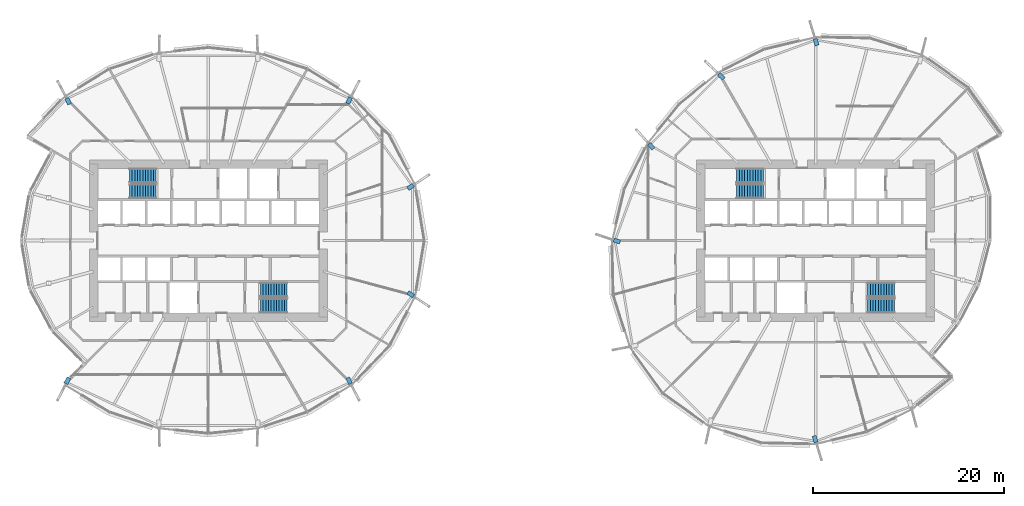
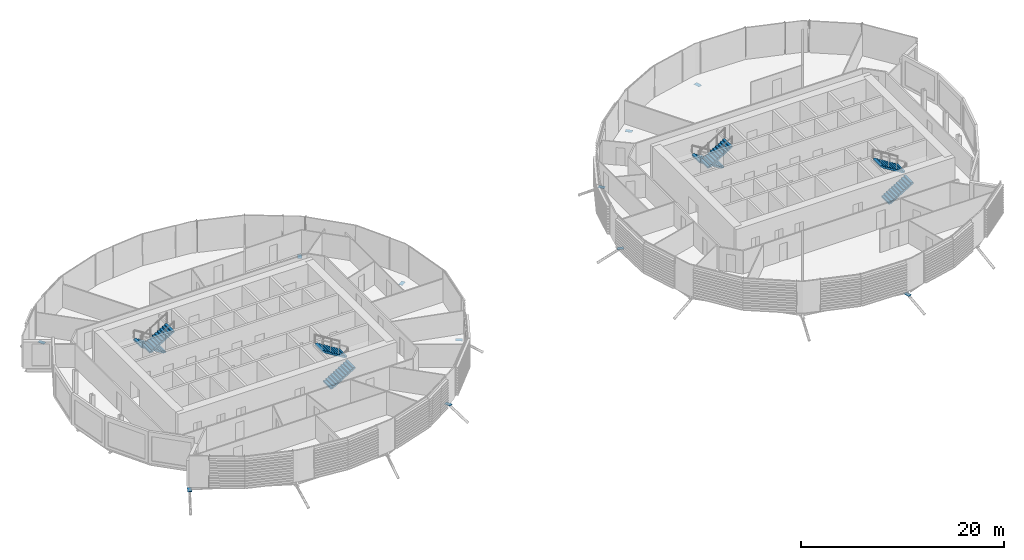
# One storey, part 26 of 37: 11 discrete accessories, 8 stair flights, 4 elements without a shape of their own.
"""IFC4 building model written with IfcOpenShell, lengths in metres."""

from ifc_helpers import new_model, si_unit, direction, frame, origin, origin_2d, place, context, subcontext, project, spatial, polyline, rectangle, outline, extrude, material, material_profile, profile_set, type_object, element, aggregate, save


model = new_model("IFC4")

# Units and contexts
model_context = context("Model", 3, precision=1e-05, world=origin(), true_north=direction((0.0, 1.0)))
body_context = subcontext(model_context, "Body", "Model", "MODEL_VIEW")
ifc_project = project(units=[si_unit("LENGTHUNIT", "METRE"), si_unit("AREAUNIT", "SQUARE_METRE"), si_unit("VOLUMEUNIT", "CUBIC_METRE"), si_unit("PLANEANGLEUNIT", "RADIAN"), si_unit("MASSUNIT", "GRAM", prefix="KILO")], contexts=[model_context])

# Site, building, storey
site_placement = place(None, origin())
site = spatial("IfcSite", under=ifc_project, at=site_placement, CompositionType="ELEMENT")
building_placement = place(site_placement, origin())
building = spatial("IfcBuilding", under=site, at=building_placement, Name="Rimbun Link Towers", CompositionType="ELEMENT")
storey_placement = place(building_placement, frame((0.0, 0.0, 45.199951171875)))
storey = spatial("IfcBuildingStorey", under=building, at=storey_placement, Name="L10", CompositionType="ELEMENT", Elevation=45.199951171875)

# Stair, stair flights
ifc_material_1 = material(Name="Concrete C40/50", Category="concrete")
stair_type = type_object("IfcStairType", Name="Exit stair 3800 rise", PredefinedType="HALF_TURN_STAIR", material=ifc_material_1)
stair_1_placement = place(storey_placement, origin())
stair_1 = element("IfcStair", 1, at=stair_1_placement, inside=storey, type_object=stair_type, Name="L10 EXIT STAIR A", PredefinedType="HALF_TURN_STAIR")
ifc_material_2 = material(Name="Concrete C40/50", Category="concrete")
stair_flight_type = type_object("IfcStairFlightType", Name="Exit stair flight 3800 rise", PredefinedType="STRAIGHT", material=ifc_material_2)
stair_flight_1_placement = place(storey_placement, frame((-37.199951171875, 6.800048828125, 0.0), z_axis=(0.0, 0.0, 1.0), x_axis=(-1.0, 0.0, 0.0)))
stair_flight_1 = element("IfcStairFlight", 2, at=stair_flight_1_placement, type_object=stair_flight_type, Name="ST1 flight 1", NumberOfRisers=11, NumberOfTreads=10, PredefinedType="STRAIGHT", RiserHeight=0.172727273, TreadLength=0.28, context=body_context, shape_type="SweptSolid", body=[
    extrude(outline(polyline([(0.0, 0.0), (0.0, 0.172607421875), (0.280029296875, 0.172607421875), (0.280029296875, 0.345458984375), (0.56005859375, 0.345458984375), (0.56005859375, 0.51806640625), (0.840087890625, 0.51806640625), (0.840087890625, 0.69091796875), (1.1201171875, 0.69091796875), (1.1201171875, 0.863525390625), (1.39990234375, 0.863525390625), (1.39990234375, 1.036376953125), (1.679931640625, 1.036376953125), (1.679931640625, 1.208984375), (1.9599609375, 1.208984375), (1.9599609375, 1.3818359375), (2.239990234375, 1.3818359375), (2.239990234375, 1.554443359375), (2.52001953125, 1.554443359375), (2.52001953125, 1.727294921875), (2.800048828125, 1.727294921875), (2.800048828125, 1.89990234375), (2.800048828125, 1.551025390625), (0.280029296875, 0.0), (0.0, 0.0)])), frame((0.0, 0.75, 0.0), z_axis=(0.0, -1.0, 0.0), x_axis=(1.0, 0.0, 0.0)), (0.0, 0.0, 1.0), 1.5),
])
stair_flight_2_placement = place(storey_placement, frame((-40.0, 5.14990234375, 1.900146484375), z_axis=(0.0, 0.0, 1.0), x_axis=(1.0, 0.0, 0.0)))
stair_flight_2 = element("IfcStairFlight", 3, at=stair_flight_2_placement, type_object=stair_flight_type, Name="ST1 flight 2", NumberOfRisers=11, NumberOfTreads=10, PredefinedType="STRAIGHT", RiserHeight=0.172727273, TreadLength=0.28, context=body_context, shape_type="SweptSolid", body=[
    extrude(outline(polyline([(0.0, 0.0), (0.0, 0.172607421875), (0.280029296875, 0.172607421875), (0.280029296875, 0.345458984375), (0.56005859375, 0.345458984375), (0.56005859375, 0.51806640625), (0.840087890625, 0.51806640625), (0.840087890625, 0.69091796875), (1.1201171875, 0.69091796875), (1.1201171875, 0.863525390625), (1.39990234375, 0.863525390625), (1.39990234375, 1.036376953125), (1.679931640625, 1.036376953125), (1.679931640625, 1.208984375), (1.9599609375, 1.208984375), (1.9599609375, 1.3818359375), (2.239990234375, 1.3818359375), (2.239990234375, 1.554443359375), (2.52001953125, 1.554443359375), (2.52001953125, 1.727294921875), (2.800048828125, 1.727294921875), (2.800048828125, 1.89990234375), (2.800048828125, 1.551025390625), (0.280029296875, 0.0), (0.0, 0.0)])), frame((0.0, 0.75, 0.0), z_axis=(0.0, -1.0, 0.0), x_axis=(1.0, 0.0, 0.0)), (0.0, 0.0, 1.0), 1.5),
])
aggregate(stair_1, [stair_flight_1, stair_flight_2])

stair_2_placement = place(storey_placement, origin())
stair_2 = element("IfcStair", 4, at=stair_2_placement, inside=storey, type_object=stair_type, Name="L10 EXIT STAIR B", PredefinedType="HALF_TURN_STAIR")
stair_flight_3_placement = place(storey_placement, frame((-26.300048828125, -6.800048828125, 0.0), z_axis=(0.0, 0.0, 1.0), x_axis=(1.0, 0.0, 0.0)))
stair_flight_3 = element("IfcStairFlight", 5, at=stair_flight_3_placement, type_object=stair_flight_type, Name="ST2 flight 1", NumberOfRisers=11, NumberOfTreads=10, PredefinedType="STRAIGHT", RiserHeight=0.172727273, TreadLength=0.28, context=body_context, shape_type="SweptSolid", body=[
    extrude(outline(polyline([(0.0, 0.0), (0.0, 0.172607421875), (0.280029296875, 0.172607421875), (0.280029296875, 0.345458984375), (0.56005859375, 0.345458984375), (0.56005859375, 0.51806640625), (0.840087890625, 0.51806640625), (0.840087890625, 0.69091796875), (1.1201171875, 0.69091796875), (1.1201171875, 0.863525390625), (1.39990234375, 0.863525390625), (1.39990234375, 1.036376953125), (1.679931640625, 1.036376953125), (1.679931640625, 1.208984375), (1.9599609375, 1.208984375), (1.9599609375, 1.3818359375), (2.239990234375, 1.3818359375), (2.239990234375, 1.554443359375), (2.52001953125, 1.554443359375), (2.52001953125, 1.727294921875), (2.800048828125, 1.727294921875), (2.800048828125, 1.89990234375), (2.800048828125, 1.551025390625), (0.280029296875, 0.0), (0.0, 0.0)])), frame((0.0, 0.75, 0.0), z_axis=(0.0, -1.0, 0.0), x_axis=(1.0, 0.0, 0.0)), (0.0, 0.0, 1.0), 1.5),
])
stair_flight_4_placement = place(storey_placement, frame((-23.5, -5.14990234375, 1.900146484375), z_axis=(0.0, 0.0, 1.0), x_axis=(-1.0, 0.0, 0.0)))
stair_flight_4 = element("IfcStairFlight", 6, at=stair_flight_4_placement, type_object=stair_flight_type, Name="ST2 flight 2", NumberOfRisers=11, NumberOfTreads=10, PredefinedType="STRAIGHT", RiserHeight=0.172727273, TreadLength=0.28, context=body_context, shape_type="SweptSolid", body=[
    extrude(outline(polyline([(0.0, 0.0), (0.0, 0.172607421875), (0.280029296875, 0.172607421875), (0.280029296875, 0.345458984375), (0.56005859375, 0.345458984375), (0.56005859375, 0.51806640625), (0.840087890625, 0.51806640625), (0.840087890625, 0.69091796875), (1.1201171875, 0.69091796875), (1.1201171875, 0.863525390625), (1.39990234375, 0.863525390625), (1.39990234375, 1.036376953125), (1.679931640625, 1.036376953125), (1.679931640625, 1.208984375), (1.9599609375, 1.208984375), (1.9599609375, 1.3818359375), (2.239990234375, 1.3818359375), (2.239990234375, 1.554443359375), (2.52001953125, 1.554443359375), (2.52001953125, 1.727294921875), (2.800048828125, 1.727294921875), (2.800048828125, 1.89990234375), (2.800048828125, 1.551025390625), (0.280029296875, 0.0), (0.0, 0.0)])), frame((0.0, 0.75, 0.0), z_axis=(0.0, -1.0, 0.0), x_axis=(1.0, 0.0, 0.0)), (0.0, 0.0, 1.0), 1.5),
])
aggregate(stair_2, [stair_flight_3, stair_flight_4])

stair_3_placement = place(storey_placement, origin())
stair_3 = element("IfcStair", 7, at=stair_3_placement, inside=storey, type_object=stair_type, Name="L10 EXIT STAIR A", PredefinedType="HALF_TURN_STAIR")
stair_flight_5_placement = place(storey_placement, frame((26.300048828125, 6.800048828125, 0.0), z_axis=(0.0, 0.0, 1.0), x_axis=(-1.0, 0.0, 0.0)))
stair_flight_5 = element("IfcStairFlight", 8, at=stair_flight_5_placement, type_object=stair_flight_type, Name="ST3 flight 1", NumberOfRisers=11, NumberOfTreads=10, PredefinedType="STRAIGHT", RiserHeight=0.172727273, TreadLength=0.28, context=body_context, shape_type="SweptSolid", body=[
    extrude(outline(polyline([(0.0, 0.0), (0.0, 0.172607421875), (0.280029296875, 0.172607421875), (0.280029296875, 0.345458984375), (0.56005859375, 0.345458984375), (0.56005859375, 0.51806640625), (0.840087890625, 0.51806640625), (0.840087890625, 0.69091796875), (1.1201171875, 0.69091796875), (1.1201171875, 0.863525390625), (1.39990234375, 0.863525390625), (1.39990234375, 1.036376953125), (1.679931640625, 1.036376953125), (1.679931640625, 1.208984375), (1.9599609375, 1.208984375), (1.9599609375, 1.3818359375), (2.239990234375, 1.3818359375), (2.239990234375, 1.554443359375), (2.52001953125, 1.554443359375), (2.52001953125, 1.727294921875), (2.800048828125, 1.727294921875), (2.800048828125, 1.89990234375), (2.800048828125, 1.551025390625), (0.280029296875, 0.0), (0.0, 0.0)])), frame((0.0, 0.75, 0.0), z_axis=(0.0, -1.0, 0.0), x_axis=(1.0, 0.0, 0.0)), (0.0, 0.0, 1.0), 1.5),
])
stair_flight_6_placement = place(storey_placement, frame((23.5, 5.14990234375, 1.900146484375), z_axis=(0.0, 0.0, 1.0), x_axis=(1.0, 0.0, 0.0)))
stair_flight_6 = element("IfcStairFlight", 9, at=stair_flight_6_placement, type_object=stair_flight_type, Name="ST3 flight 2", NumberOfRisers=11, NumberOfTreads=10, PredefinedType="STRAIGHT", RiserHeight=0.172727273, TreadLength=0.28, context=body_context, shape_type="SweptSolid", body=[
    extrude(outline(polyline([(0.0, 0.0), (0.0, 0.172607421875), (0.280029296875, 0.172607421875), (0.280029296875, 0.345458984375), (0.56005859375, 0.345458984375), (0.56005859375, 0.51806640625), (0.840087890625, 0.51806640625), (0.840087890625, 0.69091796875), (1.1201171875, 0.69091796875), (1.1201171875, 0.863525390625), (1.39990234375, 0.863525390625), (1.39990234375, 1.036376953125), (1.679931640625, 1.036376953125), (1.679931640625, 1.208984375), (1.9599609375, 1.208984375), (1.9599609375, 1.3818359375), (2.239990234375, 1.3818359375), (2.239990234375, 1.554443359375), (2.52001953125, 1.554443359375), (2.52001953125, 1.727294921875), (2.800048828125, 1.727294921875), (2.800048828125, 1.89990234375), (2.800048828125, 1.551025390625), (0.280029296875, 0.0), (0.0, 0.0)])), frame((0.0, 0.75, 0.0), z_axis=(0.0, -1.0, 0.0), x_axis=(1.0, 0.0, 0.0)), (0.0, 0.0, 1.0), 1.5),
])
aggregate(stair_3, [stair_flight_5, stair_flight_6])

stair_4_placement = place(storey_placement, origin())
stair_4 = element("IfcStair", 10, at=stair_4_placement, inside=storey, type_object=stair_type, Name="L10 EXIT STAIR B", PredefinedType="HALF_TURN_STAIR")
stair_flight_7_placement = place(storey_placement, frame((37.199951171875, -6.800048828125, 0.0), z_axis=(0.0, 0.0, 1.0), x_axis=(1.0, 0.0, 0.0)))
stair_flight_7 = element("IfcStairFlight", 11, at=stair_flight_7_placement, type_object=stair_flight_type, Name="ST4 flight 1", NumberOfRisers=11, NumberOfTreads=10, PredefinedType="STRAIGHT", RiserHeight=0.172727273, TreadLength=0.28, context=body_context, shape_type="SweptSolid", body=[
    extrude(outline(polyline([(0.0, 0.0), (0.0, 0.172607421875), (0.280029296875, 0.172607421875), (0.280029296875, 0.345458984375), (0.56005859375, 0.345458984375), (0.56005859375, 0.51806640625), (0.840087890625, 0.51806640625), (0.840087890625, 0.69091796875), (1.1201171875, 0.69091796875), (1.1201171875, 0.863525390625), (1.39990234375, 0.863525390625), (1.39990234375, 1.036376953125), (1.679931640625, 1.036376953125), (1.679931640625, 1.208984375), (1.9599609375, 1.208984375), (1.9599609375, 1.3818359375), (2.239990234375, 1.3818359375), (2.239990234375, 1.554443359375), (2.52001953125, 1.554443359375), (2.52001953125, 1.727294921875), (2.800048828125, 1.727294921875), (2.800048828125, 1.89990234375), (2.800048828125, 1.551025390625), (0.280029296875, 0.0), (0.0, 0.0)])), frame((0.0, 0.75, 0.0), z_axis=(0.0, -1.0, 0.0), x_axis=(1.0, 0.0, 0.0)), (0.0, 0.0, 1.0), 1.5),
])
stair_flight_8_placement = place(storey_placement, frame((40.0, -5.14990234375, 1.900146484375), z_axis=(0.0, 0.0, 1.0), x_axis=(-1.0, 0.0, 0.0)))
stair_flight_8 = element("IfcStairFlight", 12, at=stair_flight_8_placement, type_object=stair_flight_type, Name="ST4 flight 2", NumberOfRisers=11, NumberOfTreads=10, PredefinedType="STRAIGHT", RiserHeight=0.172727273, TreadLength=0.28, context=body_context, shape_type="SweptSolid", body=[
    extrude(outline(polyline([(0.0, 0.0), (0.0, 0.172607421875), (0.280029296875, 0.172607421875), (0.280029296875, 0.345458984375), (0.56005859375, 0.345458984375), (0.56005859375, 0.51806640625), (0.840087890625, 0.51806640625), (0.840087890625, 0.69091796875), (1.1201171875, 0.69091796875), (1.1201171875, 0.863525390625), (1.39990234375, 0.863525390625), (1.39990234375, 1.036376953125), (1.679931640625, 1.036376953125), (1.679931640625, 1.208984375), (1.9599609375, 1.208984375), (1.9599609375, 1.3818359375), (2.239990234375, 1.3818359375), (2.239990234375, 1.554443359375), (2.52001953125, 1.554443359375), (2.52001953125, 1.727294921875), (2.800048828125, 1.727294921875), (2.800048828125, 1.89990234375), (2.800048828125, 1.551025390625), (0.280029296875, 0.0), (0.0, 0.0)])), frame((0.0, 0.75, 0.0), z_axis=(0.0, -1.0, 0.0), x_axis=(1.0, 0.0, 0.0)), (0.0, 0.0, 1.0), 1.5),
])
aggregate(stair_4, [stair_flight_7, stair_flight_8])

# Discrete accessories
ifc_material_3 = material(Name="Steel S355J2H", Category="steel")
ifc_material_profile = material_profile(ifc_material_3, rectangle(XDim=0.43310546875, YDim=0.43310546875, at=origin_2d()), Name="PL 433x433")
ifc_profile_set = profile_set([ifc_material_profile], Name="Steel S355J2H")
discrete_accessory_type = type_object("IfcDiscreteAccessoryType", Name="Link head end plate 433X20", PredefinedType="BRACKET", material=ifc_profile_set)
discrete_accessory_1_placement = place(storey_placement, frame((0.0, 0.0, -0.713134765625)))
element("IfcDiscreteAccessory", 13, at=discrete_accessory_1_placement, inside=storey, type_object=discrete_accessory_type, Name="Link head end plate T1 L10 01", PredefinedType="BRACKET", context=body_context, shape_type="SweptSolid", body=[
    extrude(outline(polyline([(-10.764892578125, 5.240234375), (-10.18212890625, 5.627197265625), (-10.421630859375, 5.988037109375), (-11.00439453125, 5.60107421875), (-10.764892578125, 5.240234375)])), origin(), (0.0, 0.0, 1.0), 0.02001953125),
])
discrete_accessory_2_placement = place(storey_placement, frame((0.0, 0.0, -0.713134765625)))
element("IfcDiscreteAccessory", 14, at=discrete_accessory_2_placement, inside=storey, type_object=discrete_accessory_type, Name="Link head end plate T1 L10 03", PredefinedType="BRACKET", context=body_context, shape_type="SweptSolid", body=[
    extrude(outline(polyline([(-16.99609375, 14.2412109375), (-16.67724609375, 14.860595703125), (-17.062255859375, 15.05859375), (-17.381103515625, 14.439453125), (-16.99609375, 14.2412109375)])), origin(), (0.0, 0.0, 1.0), 0.02001953125),
])
discrete_accessory_3_placement = place(storey_placement, frame((0.0, 0.0, -0.713134765625)))
element("IfcDiscreteAccessory", 15, at=discrete_accessory_3_placement, inside=storey, type_object=discrete_accessory_type, Name="Link head end plate T1 L10 09", PredefinedType="BRACKET", context=body_context, shape_type="SweptSolid", body=[
    extrude(outline(polyline([(-46.045166015625, 14.36767578125), (-46.376708984375, 14.99560546875), (-46.759521484375, 14.79345703125), (-46.427978515625, 14.16552734375), (-46.045166015625, 14.36767578125)])), origin(), (0.0, 0.0, 1.0), 0.02001953125),
])
discrete_accessory_4_placement = place(storey_placement, frame((0.0, 0.0, -0.713134765625)))
element("IfcDiscreteAccessory", 16, at=discrete_accessory_4_placement, inside=storey, type_object=discrete_accessory_type, Name="Link head end plate T1 L10 15", PredefinedType="BRACKET", context=body_context, shape_type="SweptSolid", body=[
    extrude(outline(polyline([(-46.50390625, -14.2412109375), (-46.82275390625, -14.860595703125), (-46.437744140625, -15.05859375), (-46.118896484375, -14.439453125), (-46.50390625, -14.2412109375)])), origin(), (0.0, 0.0, 1.0), 0.02001953125),
])
discrete_accessory_5_placement = place(storey_placement, frame((0.0, 0.0, -0.713134765625)))
element("IfcDiscreteAccessory", 17, at=discrete_accessory_5_placement, inside=storey, type_object=discrete_accessory_type, Name="Link head end plate T1 L10 21", PredefinedType="BRACKET", context=body_context, shape_type="SweptSolid", body=[
    extrude(outline(polyline([(-17.381103515625, -14.439453125), (-17.062255859375, -15.05859375), (-16.67724609375, -14.860595703125), (-16.99609375, -14.2412109375), (-17.381103515625, -14.439453125)])), origin(), (0.0, 0.0, 1.0), 0.02001953125),
])
discrete_accessory_6_placement = place(storey_placement, frame((0.0, 0.0, -0.713134765625)))
element("IfcDiscreteAccessory", 18, at=discrete_accessory_6_placement, inside=storey, type_object=discrete_accessory_type, Name="Link head end plate T1 L10 23", PredefinedType="BRACKET", context=body_context, shape_type="SweptSolid", body=[
    extrude(outline(polyline([(-11.00439453125, -5.60107421875), (-10.421630859375, -5.988037109375), (-10.18212890625, -5.627197265625), (-10.764892578125, -5.240234375), (-11.00439453125, -5.60107421875)])), origin(), (0.0, 0.0, 1.0), 0.02001953125),
])
discrete_accessory_7_placement = place(storey_placement, frame((0.0, 0.0, -0.863525390625)))
element("IfcDiscreteAccessory", 19, at=discrete_accessory_7_placement, inside=storey, type_object=discrete_accessory_type, Name="Link head end plate T2 L10 03", PredefinedType="BRACKET", context=body_context, shape_type="SweptSolid", body=[
    extrude(outline(polyline([(32.112060546875, 20.47705078125), (31.904052734375, 21.1630859375), (31.48974609375, 21.037353515625), (31.69775390625, 20.3515625), (32.112060546875, 20.47705078125)])), origin(), (0.0, 0.0, 1.0), 0.02001953125),
])
discrete_accessory_8_placement = place(storey_placement, frame((0.0, 0.0, -0.782470703125)))
element("IfcDiscreteAccessory", 20, at=discrete_accessory_8_placement, inside=storey, type_object=discrete_accessory_type, Name="Link head end plate T2 L10 05", PredefinedType="BRACKET", context=body_context, shape_type="SweptSolid", body=[
    extrude(outline(polyline([(22.302734375, 17.081298828125), (21.78466796875, 17.570556640625), (21.4873046875, 17.255615234375), (22.005615234375, 16.766357421875), (22.302734375, 17.081298828125)])), origin(), (0.0, 0.0, 1.0), 0.02001953125),
])
discrete_accessory_9_placement = place(storey_placement, frame((0.0, 0.0, -0.534912109375)))
element("IfcDiscreteAccessory", 21, at=discrete_accessory_9_placement, inside=storey, type_object=discrete_accessory_type, Name="Link head end plate T2 L10 07", PredefinedType="BRACKET", context=body_context, shape_type="SweptSolid", body=[
    extrude(outline(polyline([(14.956787109375, 9.755615234375), (14.500244140625, 10.2626953125), (14.178466796875, 9.97314453125), (14.634765625, 9.4658203125), (14.956787109375, 9.755615234375)])), origin(), (0.0, 0.0, 1.0), 0.02001953125),
])
discrete_accessory_10_placement = place(storey_placement, frame((0.0, 0.0, -0.63330078125)))
element("IfcDiscreteAccessory", 22, at=discrete_accessory_10_placement, inside=storey, type_object=discrete_accessory_type, Name="Link head end plate T2 L10 09", PredefinedType="BRACKET", context=body_context, shape_type="SweptSolid", body=[
    extrude(outline(polyline([(11.3701171875, 0.048583984375), (10.7177734375, 0.26318359375), (10.582275390625, -0.14794921875), (11.234619140625, -0.36279296875), (11.3701171875, 0.048583984375)])), origin(), (0.0, 0.0, 1.0), 0.02001953125),
])
discrete_accessory_11_placement = place(storey_placement, frame((0.0, 0.0, -0.863525390625)))
element("IfcDiscreteAccessory", 23, at=discrete_accessory_11_placement, inside=storey, type_object=discrete_accessory_type, Name="Link head end plate T2 L10 15", PredefinedType="BRACKET", context=body_context, shape_type="SweptSolid", body=[
    extrude(outline(polyline([(31.387939453125, -20.47705078125), (31.595947265625, -21.1630859375), (32.01025390625, -21.037353515625), (31.80224609375, -20.3515625), (31.387939453125, -20.47705078125)])), origin(), (0.0, 0.0, 1.0), 0.02001953125),
])

save(model, "model.ifc")
